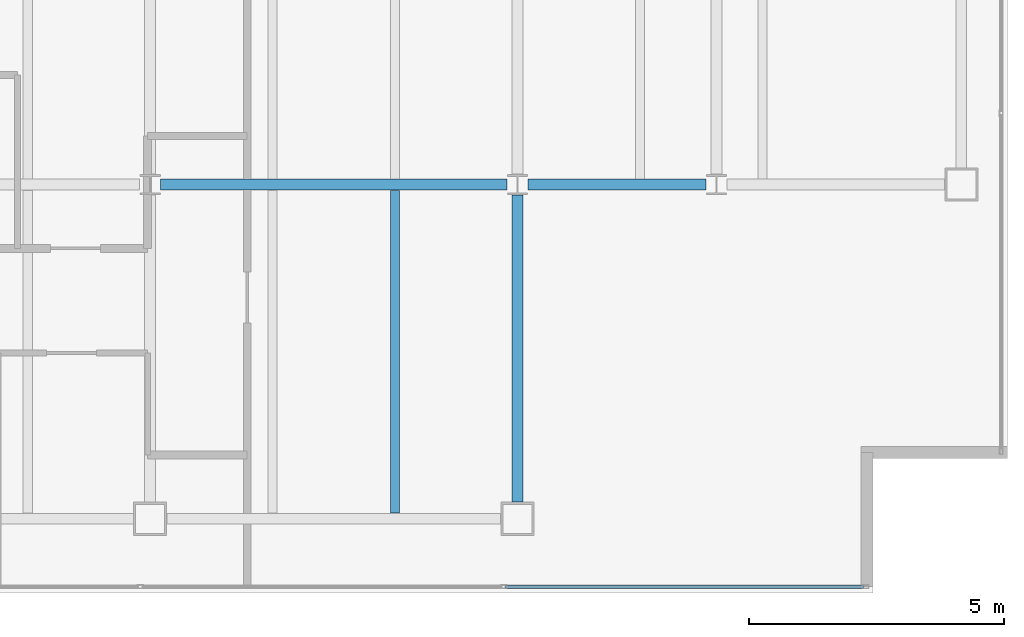
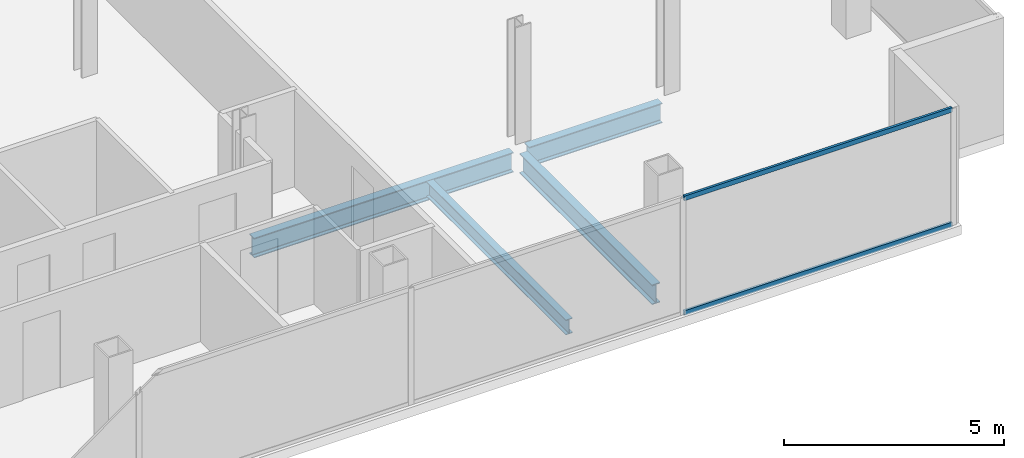
# One storey, part 13 of 23: 4 beams, 2 members, 1 element without a shape of its own.
"""IFC4 building model written with IfcOpenShell, lengths in metres."""

from ifc_helpers import new_model, si_unit, direction, frame, origin, origin_2d, place, context, subcontext, project, spatial, hollow_rectangle, i_section, extrude, material, material_profile, profile_set, type_object, element, aggregate, save


model = new_model("IFC4")

# Units and contexts
model_context = context("Model", 3, precision=1e-05, world=origin(), true_north=direction((0.0, 1.0)))
body_context = subcontext(model_context, "Body", "Model", "MODEL_VIEW")
ifc_project = project(units=[si_unit("LENGTHUNIT", "METRE"), si_unit("AREAUNIT", "SQUARE_METRE"), si_unit("VOLUMEUNIT", "CUBIC_METRE"), si_unit("PLANEANGLEUNIT", "RADIAN"), si_unit("MASSUNIT", "GRAM", prefix="KILO")], contexts=[model_context])

# Site, building, storey
site_placement = place(None, origin())
site = spatial("IfcSite", under=ifc_project, at=site_placement, CompositionType="ELEMENT")
building_placement = place(site_placement, origin())
building = spatial("IfcBuilding", under=site, at=building_placement, Name="Cobrela Telecom Tower", CompositionType="ELEMENT")
storey_placement = place(building_placement, frame((0.0, 0.0, 276.14990234375)))
storey = spatial("IfcBuildingStorey", under=building, at=storey_placement, Name="L72", CompositionType="ELEMENT", Elevation=276.14990234375)

# Beams
ifc_material_1 = material(Name="Steel ASTM A992 Grade 50", Category="steel")
ifc_material_profile_1 = material_profile(ifc_material_1, i_section(OverallWidth=0.212890625, OverallDepth=0.549072265625, WebThickness=0.0146484375, FlangeThickness=0.023681640625, FilletRadius=0.013916015625, at=origin_2d()), Name="W21X93")
ifc_profile_set_1 = profile_set([ifc_material_profile_1], Name="Steel ASTM A992 Grade 50")
beam_type_1 = type_object("IfcBeamType", Name="BM-GIRD-08", PredefinedType="USERDEFINED", material=ifc_profile_set_1)
beam_1_placement = place(storey_placement, frame((29.00439453125, 14.39990234375, -0.534423828125), z_axis=(1.0, 0.0, 0.0), x_axis=(0.0, 1.0, 0.0)))
element("IfcBeam", 1, at=beam_1_placement, inside=storey, type_object=beam_type_1, Name="L72 Primary Girder X07", ObjectType="GIRDER", PredefinedType="USERDEFINED", context=body_context, shape_type="SweptSolid", body=[
    extrude(i_section(OverallWidth=0.212890625, OverallDepth=0.549072265625, WebThickness=0.0146484375, FlangeThickness=0.023681640625, FilletRadius=0.013916015625, at=origin_2d()), origin(), (0.0, 0.0, 1.0), 6.791015625),
])
beam_2_placement = place(storey_placement, frame((36.20458984375, 14.39990234375, -0.534423828125), z_axis=(1.0, 0.0, 0.0), x_axis=(0.0, 1.0, 0.0)))
element("IfcBeam", 2, at=beam_2_placement, inside=storey, type_object=beam_type_1, Name="L72 Primary Girder X08", ObjectType="GIRDER", PredefinedType="USERDEFINED", context=body_context, shape_type="SweptSolid", body=[
    extrude(i_section(OverallWidth=0.212890625, OverallDepth=0.549072265625, WebThickness=0.0146484375, FlangeThickness=0.023681640625, FilletRadius=0.013916015625, at=origin_2d()), origin(), (0.0, 0.0, 1.0), 3.490966796875),
])
beam_3_placement = place(storey_placement, frame((36.0, 8.179931640625, -0.534423828125), z_axis=(0.0, 1.0, 0.0), x_axis=(-1.0, 0.0, 0.0)))
element("IfcBeam", 3, at=beam_3_placement, inside=storey, type_object=beam_type_1, Name="L72 Primary Girder Y31", ObjectType="GIRDER", PredefinedType="USERDEFINED", context=body_context, shape_type="SweptSolid", body=[
    extrude(i_section(OverallWidth=0.212890625, OverallDepth=0.549072265625, WebThickness=0.0146484375, FlangeThickness=0.023681640625, FilletRadius=0.013916015625, at=origin_2d()), origin(), (0.0, 0.0, 1.0), 6.015625),
])
ifc_material_profile_2 = material_profile(ifc_material_1, i_section(OverallWidth=0.179931640625, OverallDepth=0.4169921875, WebThickness=0.010986328125, FlangeThickness=0.01806640625, FilletRadius=0.011962890625, at=origin_2d()), Name="W16X57")
ifc_profile_set_2 = profile_set([ifc_material_profile_2], Name="Steel ASTM A992 Grade 50")
beam_type_2 = type_object("IfcBeamType", Name="BM-JOIST-04", PredefinedType="JOIST", material=ifc_profile_set_2)
beam_4_placement = place(storey_placement, frame((33.60009765625, 7.96142578125, -0.468505859375), z_axis=(0.0, 1.0, 0.0), x_axis=(-1.0, 0.0, 0.0)))
element("IfcBeam", 4, at=beam_4_placement, inside=storey, type_object=beam_type_2, Name="L72 Secondary Composite Floor Beam J13", PredefinedType="JOIST", context=body_context, shape_type="SweptSolid", body=[
    extrude(i_section(OverallWidth=0.179931640625, OverallDepth=0.4169921875, WebThickness=0.010986328125, FlangeThickness=0.01806640625, FilletRadius=0.011962890625, at=origin_2d()), origin(), (0.0, 0.0, 1.0), 6.3271484375),
])

# Curtain wall, members
ifc_material_2 = material(Name="Anodized Bronze Aluminium 6063-T6", Category="aluminium")
curtain_wall_type = type_object("IfcCurtainWallType", Name="CW-SYS-OFF-HI", PredefinedType="USERDEFINED", material=ifc_material_2)
curtain_wall_placement = place(storey_placement, origin())
curtain_wall = element("IfcCurtainWall", 5, at=curtain_wall_placement, inside=storey, type_object=curtain_wall_type, Name="L72 Unitised Bronze Curtain Wall 15", ObjectType="UNITISED CURTAIN WALL", PredefinedType="USERDEFINED")
ifc_material_profile_3 = material_profile(ifc_material_2, hollow_rectangle(XDim=0.06494140625, YDim=0.1298828125, WallThickness=0.00390625, at=origin_2d()), Name="ALU 65x130x4")
ifc_profile_set_3 = profile_set([ifc_material_profile_3], Name="Anodized Bronze Aluminium 6063-T6")
member_type = type_object("IfcMemberType", Name="CW-SYS-OFF-HI-TRN", PredefinedType="USERDEFINED", material=ifc_profile_set_3)
member_1_placement = place(storey_placement, frame((42.780029296875, 6.52001953125, 0.03271484375), z_axis=(-1.0, 0.0, 0.0), x_axis=(0.0, -1.0, 0.0)))
member_1 = element("IfcMember", 6, at=member_1_placement, type_object=member_type, Name="CW-OFF-HI transom 1.1", ObjectType="TRANSOM", PredefinedType="USERDEFINED", context=body_context, shape_type="SweptSolid", body=[
    extrude(hollow_rectangle(XDim=0.06494140625, YDim=0.1298828125, WallThickness=0.00390625, at=origin_2d()), origin(), (0.0, 0.0, 1.0), 7.0166015625),
])
member_2_placement = place(storey_placement, frame((42.780029296875, 6.52001953125, 3.20751953125), z_axis=(-1.0, 0.0, 0.0), x_axis=(0.0, -1.0, 0.0)))
member_2 = element("IfcMember", 7, at=member_2_placement, type_object=member_type, Name="CW-OFF-HI transom 1.2", ObjectType="TRANSOM", PredefinedType="USERDEFINED", context=body_context, shape_type="SweptSolid", body=[
    extrude(hollow_rectangle(XDim=0.06494140625, YDim=0.1298828125, WallThickness=0.00390625, at=origin_2d()), origin(), (0.0, 0.0, 1.0), 7.0166015625),
])
aggregate(curtain_wall, [member_1, member_2])

save(model, "model.ifc")
